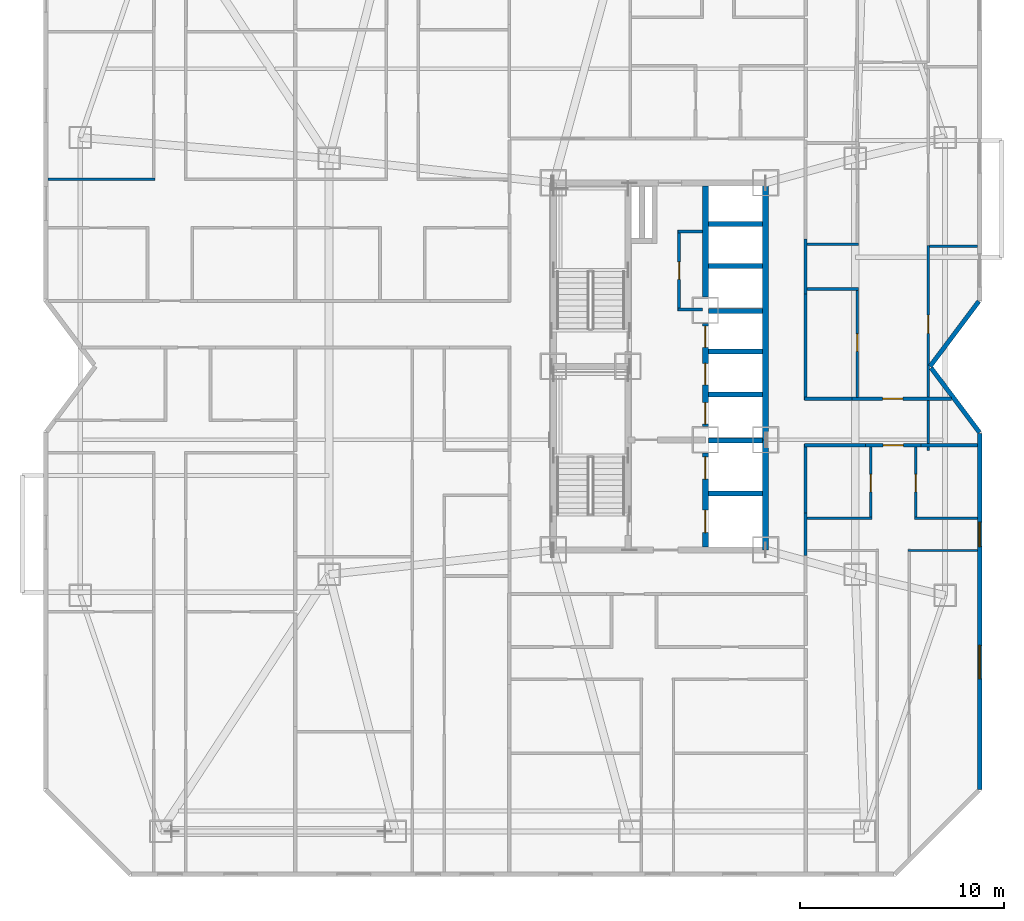
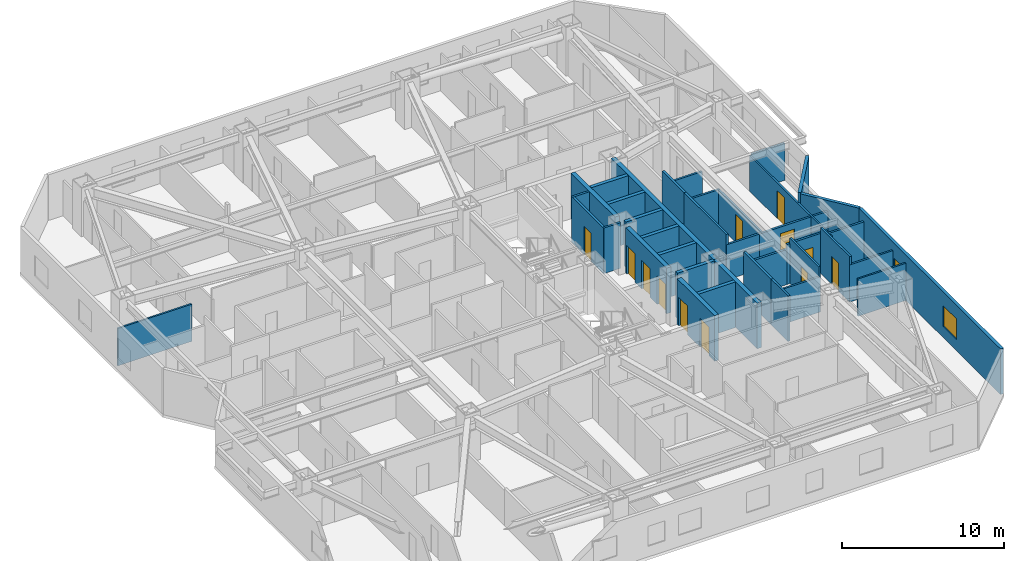
# One storey, part 9 of 13: 38 walls, 12 doors, 2 windows, 14 openings.
"""IFC4 building model written with IfcOpenShell, lengths in metres."""

from ifc_helpers import new_model, si_unit, direction, frame, frame_2d, origin, place, context, subcontext, project, spatial, rectangle, extrude, material, layer, layer_set, type_object, element, fill, save


model = new_model("IFC4")

# Units and contexts
model_context = context("Model", 3, precision=1e-05, world=origin(), true_north=direction((0.0, 1.0)))
body_context = subcontext(model_context, "Body", "Model", "MODEL_VIEW")
ifc_project = project(units=[si_unit("LENGTHUNIT", "METRE"), si_unit("AREAUNIT", "SQUARE_METRE"), si_unit("VOLUMEUNIT", "CUBIC_METRE"), si_unit("PLANEANGLEUNIT", "RADIAN"), si_unit("MASSUNIT", "GRAM", prefix="KILO")], contexts=[model_context])

# Site, building, storey
site_placement = place(None, origin())
site = spatial("IfcSite", under=ifc_project, at=site_placement, CompositionType="ELEMENT")
building_placement = place(site_placement, origin())
building = spatial("IfcBuilding", under=site, at=building_placement, Name="Khamvora Tower", CompositionType="ELEMENT")
storey_placement = place(building_placement, frame((0.0, 0.0, 62.5)))
storey = spatial("IfcBuildingStorey", under=building, at=storey_placement, Name="L15", CompositionType="ELEMENT", Elevation=62.5)

# Walls
ifc_material_1 = material(Name="Concrete C50/60", Category="concrete")
ifc_layer_1 = layer(ifc_material_1, 0.300048828125)
ifc_layer_set_1 = layer_set([ifc_layer_1], Name="Concrete C50/60")
wall_type_1 = type_object("IfcWallType", Name="WAL-CORE-300", PredefinedType="SHEAR", material=ifc_layer_set_1)
wall_1_placement = place(storey_placement, frame((39.39990234375, 19.0, 0.0), z_axis=(0.0, 0.0, 1.0), x_axis=(0.0, 1.0, 0.0)))
element("IfcWall", 1, at=wall_1_placement, inside=storey, type_object=wall_type_1, Name="L15 central core east south wall", PredefinedType="SHEAR", context=body_context, shape_type="SweptSolid", body=[
    extrude(rectangle(XDim=5.39990234375, YDim=0.300048828125, at=frame_2d((2.699951171875, 0.0))), origin(), (0.0, 0.0, 1.0), 3.429931640625),
])
wall_2_placement = place(storey_placement, frame((39.39990234375, 24.39990234375, 0.0), z_axis=(0.0, 0.0, 1.0), x_axis=(0.0, 1.0, 0.0)))
element("IfcWall", 2, at=wall_2_placement, inside=storey, type_object=wall_type_1, Name="L15 central core east north wall", PredefinedType="SHEAR", context=body_context, shape_type="SweptSolid", body=[
    extrude(rectangle(XDim=12.60009765625, YDim=0.300048828125, at=frame_2d((6.300048828125, 0.0))), origin(), (0.0, 0.0, 1.0), 3.429931640625),
])

# Wall, openings, doors
wall_3_placement = place(storey_placement, frame((36.449951171875, 19.154052734375, 0.0), z_axis=(0.0, 0.0, 1.0), x_axis=(0.0, 1.0, 0.0)))
wall_3 = element("IfcWall", 3, at=wall_3_placement, inside=storey, type_object=wall_type_1, Name="L15 central core lift bank south wall", PredefinedType="SHEAR", context=body_context, shape_type="SweptSolid", body=[
    extrude(rectangle(XDim=4.595947265625, YDim=0.300048828125, at=frame_2d((2.2978515625, 0.0))), origin(), (0.0, 0.0, 1.0), 3.429931640625),
])
opening_1_placement = place(wall_3_placement, frame((0.696044921875, 0.0, 0.0)))
opening_1 = element("IfcOpeningElement", 4, at=opening_1_placement, cuts=wall_3, Name="Opening LD-FFL", PredefinedType="OPENING", context=body_context, shape_type="SweptSolid", body=[
    extrude(rectangle(XDim=1.10009765625, YDim=2.14990234375, at=frame_2d((0.550048828125, 1.074951171875))), frame((0.0, 0.159912109375, 0.0), z_axis=(0.0, -1.0, 0.0), x_axis=(1.0, 0.0, 0.0)), (0.0, 0.0, 1.0), 0.320068359375),
])
opening_2_placement = place(wall_3_placement, frame((3.31591796875, 0.0, 0.0)))
opening_2 = element("IfcOpeningElement", 5, at=opening_2_placement, cuts=wall_3, Name="Opening LD-FFL", PredefinedType="OPENING", context=body_context, shape_type="SweptSolid", body=[
    extrude(rectangle(XDim=1.10009765625, YDim=2.14990234375, at=frame_2d((0.550048828125, 1.074951171875))), frame((0.0, 0.159912109375, 0.0), z_axis=(0.0, -1.0, 0.0), x_axis=(1.0, 0.0, 0.0)), (0.0, 0.0, 1.0), 0.320068359375),
])
ifc_material_2 = material(Name="Powder-Coated Steel and Hardwood Leaf", Category="steel")
door_type_1 = type_object("IfcDoorType", Name="DOR-LIFT-1100", OperationType="SLIDING_TO_LEFT", PredefinedType="DOOR", material=ifc_material_2)
door_1_placement = place(opening_1_placement, origin())
door_1 = element("IfcDoor", 6, at=door_1_placement, inside=storey, type_object=door_type_1, Name="L15 lift landing sliding door FFL-01", OperationType="SLIDING_TO_LEFT", OverallHeight=2.14990234375, OverallWidth=1.10009765625, PredefinedType="DOOR", context=body_context, shape_type="SweptSolid", body=[
    extrude(rectangle(XDim=1.10009765625, YDim=2.14990234375, at=frame_2d((0.550048828125, 1.074951171875))), frame((0.0, 0.02490234375, 0.0), z_axis=(0.0, -1.0, 0.0), x_axis=(1.0, 0.0, 0.0)), (0.0, 0.0, 1.0), 0.050048828125),
])
fill(opening_1, door_1)
door_2_placement = place(opening_2_placement, origin())
door_2 = element("IfcDoor", 7, at=door_2_placement, inside=storey, type_object=door_type_1, Name="L15 lift landing sliding door FFL-02", OperationType="SLIDING_TO_LEFT", OverallHeight=2.14990234375, OverallWidth=1.10009765625, PredefinedType="DOOR", context=body_context, shape_type="SweptSolid", body=[
    extrude(rectangle(XDim=1.10009765625, YDim=2.14990234375, at=frame_2d((0.550048828125, 1.074951171875))), frame((0.0, 0.02490234375, 0.0), z_axis=(0.0, -1.0, 0.0), x_axis=(1.0, 0.0, 0.0)), (0.0, 0.0, 1.0), 0.050048828125),
])
fill(opening_2, door_2)

wall_4_placement = place(storey_placement, frame((36.449951171875, 25.050048828125, 0.0), z_axis=(0.0, 0.0, 1.0), x_axis=(0.0, 1.0, 0.0)))
wall_4 = element("IfcWall", 8, at=wall_4_placement, inside=storey, type_object=wall_type_1, Name="L15 central core lift bank central wall", PredefinedType="SHEAR", context=body_context, shape_type="SweptSolid", body=[
    extrude(rectangle(XDim=5.050048828125, YDim=0.300048828125, at=frame_2d((2.52490234375, 0.0))), origin(), (0.0, 0.0, 1.0), 3.429931640625),
])
opening_3_placement = place(wall_4_placement, frame((0.1201171875, 0.0, 0.0)))
opening_3 = element("IfcOpeningElement", 9, at=opening_3_placement, cuts=wall_4, Name="Opening LD-PL", PredefinedType="OPENING", context=body_context, shape_type="SweptSolid", body=[
    extrude(rectangle(XDim=1.050048828125, YDim=2.14990234375, at=frame_2d((0.52490234375, 1.074951171875))), frame((0.0, 0.159912109375, 0.0), z_axis=(0.0, -1.0, 0.0), x_axis=(1.0, 0.0, 0.0)), (0.0, 0.0, 1.0), 0.320068359375),
])
opening_4_placement = place(wall_4_placement, frame((2.044921875, 0.0, 0.0)))
opening_4 = element("IfcOpeningElement", 10, at=opening_4_placement, cuts=wall_4, Name="Opening LD-PL", PredefinedType="OPENING", context=body_context, shape_type="SweptSolid", body=[
    extrude(rectangle(XDim=1.050048828125, YDim=2.14990234375, at=frame_2d((0.52490234375, 1.074951171875))), frame((0.0, 0.159912109375, 0.0), z_axis=(0.0, -1.0, 0.0), x_axis=(1.0, 0.0, 0.0)), (0.0, 0.0, 1.0), 0.320068359375),
])
opening_5_placement = place(wall_4_placement, frame((3.8798828125, 0.0, 0.0)))
opening_5 = element("IfcOpeningElement", 11, at=opening_5_placement, cuts=wall_4, Name="Opening LD-PL", PredefinedType="OPENING", context=body_context, shape_type="SweptSolid", body=[
    extrude(rectangle(XDim=1.050048828125, YDim=2.14990234375, at=frame_2d((0.52490234375, 1.074951171875))), frame((0.0, 0.159912109375, 0.0), z_axis=(0.0, -1.0, 0.0), x_axis=(1.0, 0.0, 0.0)), (0.0, 0.0, 1.0), 0.320068359375),
])
door_type_2 = type_object("IfcDoorType", Name="DOR-LIFT-1050", OperationType="SLIDING_TO_LEFT", PredefinedType="DOOR", material=ifc_material_2)
door_3_placement = place(opening_3_placement, origin())
door_3 = element("IfcDoor", 12, at=door_3_placement, inside=storey, type_object=door_type_2, Name="L15 lift landing sliding door PL-01", OperationType="SLIDING_TO_LEFT", OverallHeight=2.14990234375, OverallWidth=1.050048828125, PredefinedType="DOOR", context=body_context, shape_type="SweptSolid", body=[
    extrude(rectangle(XDim=1.050048828125, YDim=2.14990234375, at=frame_2d((0.52490234375, 1.074951171875))), frame((0.0, 0.02490234375, 0.0), z_axis=(0.0, -1.0, 0.0), x_axis=(1.0, 0.0, 0.0)), (0.0, 0.0, 1.0), 0.050048828125),
])
fill(opening_3, door_3)
door_4_placement = place(opening_4_placement, origin())
door_4 = element("IfcDoor", 13, at=door_4_placement, inside=storey, type_object=door_type_2, Name="L15 lift landing sliding door PL-02", OperationType="SLIDING_TO_LEFT", OverallHeight=2.14990234375, OverallWidth=1.050048828125, PredefinedType="DOOR", context=body_context, shape_type="SweptSolid", body=[
    extrude(rectangle(XDim=1.050048828125, YDim=2.14990234375, at=frame_2d((0.52490234375, 1.074951171875))), frame((0.0, 0.02490234375, 0.0), z_axis=(0.0, -1.0, 0.0), x_axis=(1.0, 0.0, 0.0)), (0.0, 0.0, 1.0), 0.050048828125),
])
fill(opening_4, door_4)
door_5_placement = place(opening_5_placement, origin())
door_5 = element("IfcDoor", 14, at=door_5_placement, inside=storey, type_object=door_type_2, Name="L15 lift landing sliding door PL-03", OperationType="SLIDING_TO_LEFT", OverallHeight=2.14990234375, OverallWidth=1.050048828125, PredefinedType="DOOR", context=body_context, shape_type="SweptSolid", body=[
    extrude(rectangle(XDim=1.050048828125, YDim=2.14990234375, at=frame_2d((0.52490234375, 1.074951171875))), frame((0.0, 0.02490234375, 0.0), z_axis=(0.0, -1.0, 0.0), x_axis=(1.0, 0.0, 0.0)), (0.0, 0.0, 1.0), 0.050048828125),
])
fill(opening_5, door_5)

# Walls
wall_5_placement = place(storey_placement, frame((36.449951171875, 31.39990234375, 0.0), z_axis=(0.0, 0.0, 1.0), x_axis=(0.0, 1.0, 0.0)))
element("IfcWall", 15, at=wall_5_placement, inside=storey, type_object=wall_type_1, Name="L15 central core lift bank north wall", PredefinedType="SHEAR", context=body_context, shape_type="SweptSolid", body=[
    extrude(rectangle(XDim=5.446044921875, YDim=0.300048828125, at=frame_2d((2.72314453125, 0.0))), origin(), (0.0, 0.0, 1.0), 3.429931640625),
])
ifc_material_3 = material(Name="Fire-Rated Drywall and Steel Stud", Category="steel")
ifc_layer_2 = layer(ifc_material_3, 0.14990234375)
ifc_layer_set_2 = layer_set([ifc_layer_2], Name="Fire-Rated Drywall and Steel Stud")
wall_type_2 = type_object("IfcWallType", Name="WAL-CORR-150", PredefinedType="STANDARD", material=ifc_layer_set_2)
wall_6_placement = place(storey_placement, frame((36.305908203125, 34.614990234375, 0.0), z_axis=(0.0, 0.0, 1.0), x_axis=(-1.0, 0.0, 0.0)))
element("IfcWall", 16, at=wall_6_placement, inside=storey, type_object=wall_type_2, Name="L15 interior partition wall 001", PredefinedType="STANDARD", context=body_context, shape_type="SweptSolid", body=[
    extrude(rectangle(XDim=1.205810546875, YDim=0.14990234375, at=frame_2d((0.60302734375, 0.0))), origin(), (0.0, 0.0, 1.0), 3.429931640625),
])

# Wall, opening, door
wall_7_placement = place(storey_placement, frame((35.1650390625, 34.677978515625, 0.0), z_axis=(0.0, 0.0, 1.0), x_axis=(0.0, -1.0, 0.0)))
wall_7 = element("IfcWall", 17, at=wall_7_placement, inside=storey, type_object=wall_type_2, Name="L15 interior partition wall 002", PredefinedType="STANDARD", context=body_context, shape_type="SweptSolid", body=[
    extrude(rectangle(XDim=3.9580078125, YDim=0.14990234375, at=frame_2d((1.97900390625, 0.0))), origin(), (0.0, 0.0, 1.0), 3.429931640625),
])
opening_6_placement = place(wall_7_placement, frame((1.553955078125, 0.0, 0.0)))
opening_6 = element("IfcOpeningElement", 18, at=opening_6_placement, cuts=wall_7, Name="Opening D-WC1", PredefinedType="OPENING", context=body_context, shape_type="SweptSolid", body=[
    extrude(rectangle(XDim=0.85009765625, YDim=2.10009765625, at=frame_2d((0.425048828125, 1.050048828125))), frame((0.0, 0.0849609375, 0.0), z_axis=(0.0, -1.0, 0.0), x_axis=(1.0, 0.0, 0.0)), (0.0, 0.0, 1.0), 0.169921875),
])
door_type_3 = type_object("IfcDoorType", Name="DOR-WET-850", OperationType="NOTDEFINED", PredefinedType="DOOR", material=ifc_material_2)
door_6_placement = place(opening_6_placement, origin())
door_6 = element("IfcDoor", 19, at=door_6_placement, inside=storey, type_object=door_type_3, Name="L15 interior door PLL-CS1", OperationType="SINGLE_SWING_LEFT", OverallHeight=2.10009765625, OverallWidth=0.85009765625, PredefinedType="DOOR", context=body_context, shape_type="SweptSolid", body=[
    extrude(rectangle(XDim=0.85009765625, YDim=2.10009765625, at=frame_2d((0.425048828125, 1.050048828125))), frame((0.0, 0.02490234375, 0.0), z_axis=(0.0, -1.0, 0.0), x_axis=(1.0, 0.0, 0.0)), (0.0, 0.0, 1.0), 0.050048828125),
])
fill(opening_6, door_6)

# Wall
wall_8_placement = place(storey_placement, frame((35.10205078125, 30.784912109375, 0.0), z_axis=(0.0, 0.0, 1.0), x_axis=(1.0, 0.0, 0.0)))
element("IfcWall", 20, at=wall_8_placement, inside=storey, type_object=wall_type_2, Name="L15 interior partition wall 003", PredefinedType="STANDARD", context=body_context, shape_type="SweptSolid", body=[
    extrude(rectangle(XDim=1.197998046875, YDim=0.14990234375, at=frame_2d((0.59912109375, 0.0))), origin(), (0.0, 0.0, 1.0), 3.429931640625),
])

# Wall, opening, door
wall_9_placement = place(storey_placement, frame((47.009033203125, 24.135009765625, 0.0), z_axis=(0.0, 0.0, 1.0), x_axis=(-1.0, 0.0, 0.0)))
wall_9 = element("IfcWall", 21, at=wall_9_placement, inside=storey, type_object=wall_type_2, Name="L15 interior partition wall 030", PredefinedType="STANDARD", context=body_context, shape_type="SweptSolid", body=[
    extrude(rectangle(XDim=2.697998046875, YDim=0.14990234375, at=frame_2d((1.34912109375, 0.0))), origin(), (0.0, 0.0, 1.0), 3.012939453125),
])
opening_7_placement = place(wall_9_placement, frame((0.84912109375, 0.0, 0.0)))
opening_7 = element("IfcOpeningElement", 22, at=opening_7_placement, cuts=wall_9, Name="Opening D-U1", PredefinedType="OPENING", context=body_context, shape_type="SweptSolid", body=[
    extrude(rectangle(XDim=1.0, YDim=2.14990234375, at=frame_2d((0.5, 1.074951171875))), frame((0.0, 0.0849609375, 0.0), z_axis=(0.0, -1.0, 0.0), x_axis=(1.0, 0.0, 0.0)), (0.0, 0.0, 1.0), 0.169921875),
])
door_type_4 = type_object("IfcDoorType", Name="DOR-UNIT-1000", OperationType="NOTDEFINED", PredefinedType="DOOR", material=ifc_material_2)
door_7_placement = place(opening_7_placement, origin())
door_7 = element("IfcDoor", 23, at=door_7_placement, inside=storey, type_object=door_type_4, Name="L15 interior door COR-15EAH", OperationType="SINGLE_SWING_LEFT", OverallHeight=2.14990234375, OverallWidth=1.0, PredefinedType="DOOR", context=body_context, shape_type="SweptSolid", body=[
    extrude(rectangle(XDim=1.0, YDim=2.14990234375, at=frame_2d((0.5, 1.074951171875))), frame((0.0, 0.02490234375, 0.0), z_axis=(0.0, -1.0, 0.0), x_axis=(1.0, 0.0, 0.0)), (0.0, 0.0, 1.0), 0.050048828125),
])
fill(opening_7, door_7)

# Walls
wall_10_placement = place(storey_placement, frame((41.364990234375, 20.803955078125, 0.0), z_axis=(0.0, 0.0, 1.0), x_axis=(0.0, -1.0, 0.0)))
element("IfcWall", 24, at=wall_10_placement, inside=storey, type_object=wall_type_2, Name="L15 interior partition wall 031", PredefinedType="STANDARD", context=body_context, shape_type="SweptSolid", body=[
    extrude(rectangle(XDim=2.077880859375, YDim=0.14990234375, at=frame_2d((1.0390625, 0.0))), origin(), (0.0, 0.0, 1.0), 3.429931640625),
])
wall_11_placement = place(storey_placement, frame((44.31103515625, 24.135009765625, 0.0), z_axis=(0.0, 0.0, 1.0), x_axis=(-1.0, 0.0, 0.0)))
element("IfcWall", 25, at=wall_11_placement, inside=storey, type_object=wall_type_2, Name="L15 interior partition wall 032", PredefinedType="STANDARD", context=body_context, shape_type="SweptSolid", body=[
    extrude(rectangle(XDim=3.010986328125, YDim=0.14990234375, at=frame_2d((1.50537109375, 0.0))), origin(), (0.0, 0.0, 1.0), 2.64697265625),
])
wall_12_placement = place(storey_placement, frame((41.364990234375, 24.197998046875, 0.0), z_axis=(0.0, 0.0, 1.0), x_axis=(0.0, -1.0, 0.0)))
element("IfcWall", 26, at=wall_12_placement, inside=storey, type_object=wall_type_2, Name="L15 interior partition wall 033", PredefinedType="STANDARD", context=body_context, shape_type="SweptSolid", body=[
    extrude(rectangle(XDim=3.39404296875, YDim=0.14990234375, at=frame_2d((1.697021484375, 0.0))), origin(), (0.0, 0.0, 1.0), 3.429931640625),
])
wall_13_placement = place(storey_placement, frame((49.7880859375, 24.135009765625, 0.0), z_axis=(0.0, 0.0, 1.0), x_axis=(-1.0, 0.0, 0.0)))
element("IfcWall", 27, at=wall_13_placement, inside=storey, type_object=wall_type_2, Name="L15 interior partition wall 034", PredefinedType="STANDARD", context=body_context, shape_type="SweptSolid", body=[
    extrude(rectangle(XDim=2.779052734375, YDim=0.14990234375, at=frame_2d((1.3896484375, 0.0))), origin(), (0.0, 0.0, 1.0), 2.802978515625),
])
wall_14_placement = place(storey_placement, frame((41.364990234375, 34.239990234375, 0.0), z_axis=(0.0, 0.0, 1.0), x_axis=(0.0, -1.0, 0.0)))
element("IfcWall", 28, at=wall_14_placement, inside=storey, type_object=wall_type_2, Name="L15 interior partition wall 037", PredefinedType="STANDARD", context=body_context, shape_type="SweptSolid", body=[
    extrude(rectangle(XDim=2.697998046875, YDim=0.14990234375, at=frame_2d((1.34912109375, 0.0))), origin(), (0.0, 0.0, 1.0), 3.429931640625),
])

# Wall, opening, door
wall_15_placement = place(storey_placement, frame((43.64599609375, 26.4150390625, 0.0), z_axis=(0.0, 0.0, 1.0), x_axis=(1.0, 0.0, 0.0)))
wall_15 = element("IfcWall", 29, at=wall_15_placement, inside=storey, type_object=wall_type_2, Name="L15 interior partition wall 038", PredefinedType="STANDARD", context=body_context, shape_type="SweptSolid", body=[
    extrude(rectangle(XDim=4.876953125, YDim=0.14990234375, at=frame_2d((2.4384765625, 0.0))), origin(), (0.0, 0.0, 1.0), 2.64697265625),
])
opening_8_placement = place(wall_15_placement, frame((1.489013671875, 0.0, 0.0)))
opening_8 = element("IfcOpeningElement", 30, at=opening_8_placement, cuts=wall_15, Name="Opening D-U1", PredefinedType="OPENING", context=body_context, shape_type="SweptSolid", body=[
    extrude(rectangle(XDim=1.0, YDim=2.14990234375, at=frame_2d((0.5, 1.074951171875))), frame((0.0, 0.0849609375, 0.0), z_axis=(0.0, -1.0, 0.0), x_axis=(1.0, 0.0, 0.0)), (0.0, 0.0, 1.0), 0.169921875),
])
door_8_placement = place(opening_8_placement, origin())
door_8 = element("IfcDoor", 31, at=door_8_placement, inside=storey, type_object=door_type_4, Name="L15 interior door COR-15EBH", OperationType="SINGLE_SWING_RIGHT", OverallHeight=2.14990234375, OverallWidth=1.0, PredefinedType="DOOR", context=body_context, shape_type="SweptSolid", body=[
    extrude(rectangle(XDim=1.0, YDim=2.14990234375, at=frame_2d((0.5, 1.074951171875))), frame((0.0, 0.02490234375, 0.0), z_axis=(0.0, -1.0, 0.0), x_axis=(1.0, 0.0, 0.0)), (0.0, 0.0, 1.0), 0.050048828125),
])
fill(opening_8, door_8)

# Walls
wall_16_placement = place(storey_placement, frame((41.364990234375, 31.5419921875, 0.0), z_axis=(0.0, 0.0, 1.0), x_axis=(0.0, -1.0, 0.0)))
element("IfcWall", 32, at=wall_16_placement, inside=storey, type_object=wall_type_2, Name="L15 interior partition wall 040", PredefinedType="STANDARD", context=body_context, shape_type="SweptSolid", body=[
    extrude(rectangle(XDim=5.19189453125, YDim=0.14990234375, at=frame_2d((2.595947265625, 0.0))), origin(), (0.0, 0.0, 1.0), 3.429931640625),
])
wall_17_placement = place(storey_placement, frame((41.300048828125, 26.4150390625, 0.0), z_axis=(0.0, 0.0, 1.0), x_axis=(1.0, 0.0, 0.0)))
element("IfcWall", 33, at=wall_17_placement, inside=storey, type_object=wall_type_2, Name="L15 interior partition wall 041", PredefinedType="STANDARD", context=body_context, shape_type="SweptSolid", body=[
    extrude(rectangle(XDim=2.345947265625, YDim=0.14990234375, at=frame_2d((1.1728515625, 0.0))), origin(), (0.0, 0.0, 1.0), 2.64697265625),
])
ifc_material_4 = material(Name="Precast concrete C40/50", Category="concrete")
ifc_layer_3 = layer(ifc_material_4, 0.219970703125)
ifc_layer_set_3 = layer_set([ifc_layer_3], Name="Precast concrete C40/50")
wall_type_3 = type_object("IfcWallType", Name="WAL-EXT-220", PredefinedType="STANDARD", material=ifc_layer_set_3)
wall_18_placement = place(storey_placement, frame((49.85595703125, 31.19091796875, 0.0), z_axis=(0.0, 0.0, 1.0), x_axis=(-0.600137081448, -0.799897170561, 0.0)))
element("IfcWall", 34, at=wall_18_placement, inside=storey, type_object=wall_type_3, Name="L15 exterior facade wall 10.1", PredefinedType="STANDARD", context=body_context, shape_type="SweptSolid", body=[
    extrude(rectangle(XDim=3.9892578125, YDim=0.219970703125, at=frame_2d((1.99462890625, 0.0))), origin(), (0.0, 0.0, 1.0), 3.429931640625),
])
wall_19_placement = place(storey_placement, frame((47.51904296875, 27.923095703125, 0.0), z_axis=(0.0, 0.0, 1.0), x_axis=(0.600118645218, -0.799911002338, 0.0)))
element("IfcWall", 35, at=wall_19_placement, inside=storey, type_object=wall_type_3, Name="L15 exterior facade wall 11.1", PredefinedType="STANDARD", context=body_context, shape_type="SweptSolid", body=[
    extrude(rectangle(XDim=3.95068359375, YDim=0.219970703125, at=frame_2d((1.975341796875, 0.0))), origin(), (0.0, 0.0, 1.0), 3.429931640625),
])

# Wall, openings, windows
wall_20_placement = place(storey_placement, frame((49.889892578125, 24.70703125, 0.0), z_axis=(0.0, 0.0, 1.0), x_axis=(0.0, -1.0, 0.0)))
wall_20 = element("IfcWall", 36, at=wall_20_placement, inside=storey, type_object=wall_type_3, Name="L15 exterior facade wall 12.1", PredefinedType="STANDARD", context=body_context, shape_type="SweptSolid", body=[
    extrude(rectangle(XDim=17.4609375, YDim=0.219970703125, at=frame_2d((8.73046875, 0.0))), origin(), (0.0, 0.0, 1.0), 3.429931640625),
])
opening_9_placement = place(wall_20_placement, frame((4.342041015625, 0.0, 0.800048828125)))
opening_9 = element("IfcOpeningElement", 37, at=opening_9_placement, cuts=wall_20, Name="Opening WN-03", PredefinedType="OPENING", context=body_context, shape_type="SweptSolid", body=[
    extrude(rectangle(XDim=1.199951171875, YDim=1.5, at=frame_2d((0.60009765625, 0.75))), frame((0.0, 0.119873046875, 0.0), z_axis=(0.0, -1.0, 0.0), x_axis=(1.0, 0.0, 0.0)), (0.0, 0.0, 1.0), 0.239990234375),
])
opening_10_placement = place(wall_20_placement, frame((10.37890625, 0.0, 0.85009765625)))
opening_10 = element("IfcOpeningElement", 38, at=opening_10_placement, cuts=wall_20, Name="Opening WN-06", PredefinedType="OPENING", context=body_context, shape_type="SweptSolid", body=[
    extrude(rectangle(XDim=1.64990234375, YDim=1.550048828125, at=frame_2d((0.824951171875, 0.77490234375))), frame((0.0, 0.119873046875, 0.0), z_axis=(0.0, -1.0, 0.0), x_axis=(1.0, 0.0, 0.0)), (0.0, 0.0, 1.0), 0.239990234375),
])
ifc_material_5 = material(Name="Low-E Laminated Double Glazing", Category="glass")
window_type_1 = type_object("IfcWindowType", Name="WIN-VIS-1200x1500", PartitioningType="SINGLE_PANEL", PredefinedType="WINDOW", material=ifc_material_5)
window_1_placement = place(opening_9_placement, origin())
window_1 = element("IfcWindow", 39, at=window_1_placement, inside=storey, type_object=window_type_1, Name="L15 vision window 12.1.01", OverallHeight=1.5, OverallWidth=1.199951171875, PartitioningType="SINGLE_PANEL", PredefinedType="WINDOW", context=body_context, shape_type="SweptSolid", body=[
    extrude(rectangle(XDim=1.199951171875, YDim=1.5, at=frame_2d((0.60009765625, 0.75))), frame((0.0, 0.030029296875, 0.0), z_axis=(0.0, -1.0, 0.0), x_axis=(1.0, 0.0, 0.0)), (0.0, 0.0, 1.0), 0.06005859375),
])
fill(opening_9, window_1)
window_type_2 = type_object("IfcWindowType", Name="WIN-VIS-1650x1550", PartitioningType="SINGLE_PANEL", PredefinedType="WINDOW", material=ifc_material_5)
window_2_placement = place(opening_10_placement, origin())
window_2 = element("IfcWindow", 40, at=window_2_placement, inside=storey, type_object=window_type_2, Name="L15 vision window 12.1.02", OverallHeight=1.550048828125, OverallWidth=1.64990234375, PartitioningType="SINGLE_PANEL", PredefinedType="WINDOW", context=body_context, shape_type="SweptSolid", body=[
    extrude(rectangle(XDim=1.64990234375, YDim=1.550048828125, at=frame_2d((0.824951171875, 0.77490234375))), frame((0.0, 0.030029296875, 0.0), z_axis=(0.0, -1.0, 0.0), x_axis=(1.0, 0.0, 0.0)), (0.0, 0.0, 1.0), 0.06005859375),
])
fill(opening_10, window_2)

# Walls
ifc_material_6 = material(Name="Gypsum Plasterboard Partition", Category="gypsum")
ifc_layer_4 = layer(ifc_material_6, 0.1201171875)
ifc_layer_set_4 = layer_set([ifc_layer_4], Name="Gypsum Plasterboard Partition")
wall_type_4 = type_object("IfcWallType", Name="WAL-PART-120", PredefinedType="PARTITIONING", material=ifc_layer_set_4)
wall_21_placement = place(storey_placement, frame((4.2119140625, 37.175048828125, 0.0), z_axis=(0.0, 0.0, 1.0), x_axis=(1.0, 0.0, 0.0)))
element("IfcWall", 41, at=wall_21_placement, inside=storey, type_object=wall_type_4, Name="L15 interior partition wall 085", PredefinedType="PARTITIONING", context=body_context, shape_type="SweptSolid", body=[
    extrude(rectangle(XDim=5.26416015625, YDim=0.1201171875, at=frame_2d((2.632080078125, 0.0))), origin(), (0.0, 0.0, 1.0), 2.802978515625),
])
wall_22_placement = place(storey_placement, frame((49.7880859375, 18.97509765625, 0.0), z_axis=(0.0, 0.0, 1.0), x_axis=(-1.0, 0.0, 0.0)))
element("IfcWall", 42, at=wall_22_placement, inside=storey, type_object=wall_type_4, Name="L15 interior partition wall 142", PredefinedType="PARTITIONING", context=body_context, shape_type="SweptSolid", body=[
    extrude(rectangle(XDim=3.408203125, YDim=0.1201171875, at=frame_2d((1.7041015625, 0.0))), origin(), (0.0, 0.0, 1.0), 2.802978515625),
])

# Wall, opening, door
wall_23_placement = place(storey_placement, frame((47.375, 33.926025390625, 0.0), z_axis=(0.0, 0.0, 1.0), x_axis=(0.0, -1.0, 0.0)))
wall_23 = element("IfcWall", 43, at=wall_23_placement, inside=storey, type_object=wall_type_4, Name="L15 interior partition wall 153", PredefinedType="PARTITIONING", context=body_context, shape_type="SweptSolid", body=[
    extrude(rectangle(XDim=10.046142578125, YDim=0.1201171875, at=frame_2d((5.02294921875, 0.0))), origin(), (0.0, 0.0, 1.0), 2.68701171875),
])
opening_11_placement = place(wall_23_placement, frame((3.408935546875, 0.0, 0.0)))
opening_11 = element("IfcOpeningElement", 44, at=opening_11_placement, cuts=wall_23, Name="Opening D-RM1", PredefinedType="OPENING", context=body_context, shape_type="SweptSolid", body=[
    extrude(rectangle(XDim=0.89990234375, YDim=2.10009765625, at=frame_2d((0.449951171875, 1.050048828125))), frame((0.0, 0.070068359375, 0.0), z_axis=(0.0, -1.0, 0.0), x_axis=(1.0, 0.0, 0.0)), (0.0, 0.0, 1.0), 0.14013671875),
])
door_type_5 = type_object("IfcDoorType", Name="DOR-ROOM-900", OperationType="NOTDEFINED", PredefinedType="DOOR", material=ifc_material_2)
door_9_placement = place(opening_11_placement, origin())
door_9 = element("IfcDoor", 45, at=door_9_placement, inside=storey, type_object=door_type_5, Name="L15 interior door 15EBH-15EBL", OperationType="SINGLE_SWING_RIGHT", OverallHeight=2.10009765625, OverallWidth=0.89990234375, PredefinedType="DOOR", context=body_context, shape_type="SweptSolid", body=[
    extrude(rectangle(XDim=0.89990234375, YDim=2.10009765625, at=frame_2d((0.449951171875, 1.050048828125))), frame((0.0, 0.02490234375, 0.0), z_axis=(0.0, -1.0, 0.0), x_axis=(1.0, 0.0, 0.0)), (0.0, 0.0, 1.0), 0.050048828125),
])
fill(opening_11, door_9)

# Walls
wall_24_placement = place(storey_placement, frame((47.428955078125, 33.89697265625, 0.0), z_axis=(0.0, 0.0, 1.0), x_axis=(1.0, 0.0, 0.0)))
element("IfcWall", 46, at=wall_24_placement, inside=storey, type_object=wall_type_4, Name="L15 interior partition wall 156", PredefinedType="PARTITIONING", context=body_context, shape_type="SweptSolid", body=[
    extrude(rectangle(XDim=2.359130859375, YDim=0.1201171875, at=frame_2d((1.1796875, 0.0))), origin(), (0.0, 0.0, 1.0), 2.802978515625),
])
ifc_material_7 = material(Name="Concrete C40/50", Category="concrete")
ifc_layer_5 = layer(ifc_material_7, 0.25)
ifc_layer_set_5 = layer_set([ifc_layer_5], Name="Concrete C40/50")
wall_type_5 = type_object("IfcWallType", Name="WAL-PODS-250", PredefinedType="SHEAR", material=ifc_layer_set_5)
for number, where, z_axis, x_axis, name in (
    (47, (36.60400390625, 21.77490234375, 0.0), (0.0, 0.0, 1.0), (1.0, 0.0, 0.0), "L15 lift shaft divider wall FFL-01"),
    (48, (36.60400390625, 24.375, 0.0), (0.0, 0.0, 1.0), (1.0, 0.0, 0.0), "L15 lift shaft divider wall FFL-02"),
    (49, (36.60400390625, 26.625, 0.0), (0.0, 0.0, 1.0), (1.0, 0.0, 0.0), "L15 lift shaft divider wall PL-01"),
    (50, (36.60400390625, 28.72509765625, 0.0), (0.0, 0.0, 1.0), (1.0, 0.0, 0.0), "L15 lift shaft divider wall PL-02"),
    (51, (36.60400390625, 30.72509765625, 0.0), (0.0, 0.0, 1.0), (1.0, 0.0, 0.0), "L15 lift shaft divider wall PL-03"),
    (52, (36.60400390625, 32.925048828125, 0.0), (0.0, 0.0, 1.0), (1.0, 0.0, 0.0), "L15 lift shaft divider wall PH-01"),
    (53, (36.60400390625, 34.97509765625, 0.0), (0.0, 0.0, 1.0), (1.0, 0.0, 0.0), "L15 lift shaft divider wall PH-02"),
):
    element("IfcWall", number, at=place(storey_placement, frame(where, z_axis=z_axis, x_axis=x_axis)), inside=storey, type_object=wall_type_5, Name=name, PredefinedType="SHEAR", context=body_context, shape_type="SweptSolid", body=[
        extrude(rectangle(XDim=2.64208984375, YDim=0.25, at=frame_2d((1.321044921875, 0.0))), origin(), (0.0, 0.0, 1.0), 3.429931640625),
    ])
ifc_material_8 = material(Name="Moisture-Resistant Plasterboard Partition", Category="gypsum")
ifc_layer_6 = layer(ifc_material_8, 0.135009765625)
ifc_layer_set_6 = layer_set([ifc_layer_6], Name="Moisture-Resistant Plasterboard Partition")
wall_type_6 = type_object("IfcWallType", Name="WAL-WET-135", PredefinedType="PARTITIONING", material=ifc_layer_set_6)
wall_25_placement = place(storey_placement, frame((41.431884765625, 20.554931640625, 0.0), z_axis=(0.0, 0.0, 1.0), x_axis=(1.0, 0.0, 0.0)))
element("IfcWall", 54, at=wall_25_placement, inside=storey, type_object=wall_type_6, Name="L15 interior partition wall 136", PredefinedType="PARTITIONING", context=body_context, shape_type="SweptSolid", body=[
    extrude(rectangle(XDim=3.193115234375, YDim=0.135009765625, at=frame_2d((1.5966796875, 0.0))), origin(), (0.0, 0.0, 1.0), 2.64697265625),
])

# Wall, opening, door
wall_26_placement = place(storey_placement, frame((44.56005859375, 20.489990234375, 0.0), z_axis=(0.0, 0.0, 1.0), x_axis=(0.0, 1.0, 0.0)))
wall_26 = element("IfcWall", 55, at=wall_26_placement, inside=storey, type_object=wall_type_6, Name="L15 interior partition wall 137", PredefinedType="PARTITIONING", context=body_context, shape_type="SweptSolid", body=[
    extrude(rectangle(XDim=3.580078125, YDim=0.135009765625, at=frame_2d((1.7900390625, 0.0))), origin(), (0.0, 0.0, 1.0), 3.429931640625),
])
opening_12_placement = place(wall_26_placement, frame((1.364990234375, 0.0, 0.0)))
opening_12 = element("IfcOpeningElement", 56, at=opening_12_placement, cuts=wall_26, Name="Opening D-WC1", PredefinedType="OPENING", context=body_context, shape_type="SweptSolid", body=[
    extrude(rectangle(XDim=0.85009765625, YDim=2.10009765625, at=frame_2d((0.425048828125, 1.050048828125))), frame((0.0, 0.077392578125, 0.0), z_axis=(0.0, -1.0, 0.0), x_axis=(1.0, 0.0, 0.0)), (0.0, 0.0, 1.0), 0.155029296875),
])
door_10_placement = place(opening_12_placement, origin())
door_10 = element("IfcDoor", 57, at=door_10_placement, inside=storey, type_object=door_type_3, Name="L15 interior door 15EAH-15EAB", OperationType="SINGLE_SWING_LEFT", OverallHeight=2.10009765625, OverallWidth=0.85009765625, PredefinedType="DOOR", context=body_context, shape_type="SweptSolid", body=[
    extrude(rectangle(XDim=0.85009765625, YDim=2.10009765625, at=frame_2d((0.425048828125, 1.050048828125))), frame((0.0, 0.02490234375, 0.0), z_axis=(0.0, -1.0, 0.0), x_axis=(1.0, 0.0, 0.0)), (0.0, 0.0, 1.0), 0.050048828125),
])
fill(opening_12, door_10)

wall_27_placement = place(storey_placement, frame((46.760009765625, 24.070068359375, 0.0), z_axis=(0.0, 0.0, 1.0), x_axis=(0.0, -1.0, 0.0)))
wall_27 = element("IfcWall", 58, at=wall_27_placement, inside=storey, type_object=wall_type_6, Name="L15 interior partition wall 138", PredefinedType="PARTITIONING", context=body_context, shape_type="SweptSolid", body=[
    extrude(rectangle(XDim=3.580078125, YDim=0.135009765625, at=frame_2d((1.7900390625, 0.0))), origin(), (0.0, 0.0, 1.0), 3.429931640625),
])
opening_13_placement = place(wall_27_placement, frame((1.364990234375, 0.0, 0.0)))
opening_13 = element("IfcOpeningElement", 59, at=opening_13_placement, cuts=wall_27, Name="Opening D-RM2", PredefinedType="OPENING", context=body_context, shape_type="SweptSolid", body=[
    extrude(rectangle(XDim=0.85009765625, YDim=2.10009765625, at=frame_2d((0.425048828125, 1.050048828125))), frame((0.0, 0.077392578125, 0.0), z_axis=(0.0, -1.0, 0.0), x_axis=(1.0, 0.0, 0.0)), (0.0, 0.0, 1.0), 0.155029296875),
])
door_type_6 = type_object("IfcDoorType", Name="DOR-ROOM-850", OperationType="NOTDEFINED", PredefinedType="DOOR", material=ifc_material_2)
door_11_placement = place(opening_13_placement, origin())
door_11 = element("IfcDoor", 60, at=door_11_placement, inside=storey, type_object=door_type_6, Name="L15 interior door 15EAH-15EAK", OperationType="SINGLE_SWING_RIGHT", OverallHeight=2.10009765625, OverallWidth=0.85009765625, PredefinedType="DOOR", context=body_context, shape_type="SweptSolid", body=[
    extrude(rectangle(XDim=0.85009765625, YDim=2.10009765625, at=frame_2d((0.425048828125, 1.050048828125))), frame((0.0, 0.02490234375, 0.0), z_axis=(0.0, -1.0, 0.0), x_axis=(1.0, 0.0, 0.0)), (0.0, 0.0, 1.0), 0.050048828125),
])
fill(opening_13, door_11)

# Walls
wall_28_placement = place(storey_placement, frame((46.695068359375, 20.554931640625, 0.0), z_axis=(0.0, 0.0, 1.0), x_axis=(1.0, 0.0, 0.0)))
element("IfcWall", 61, at=wall_28_placement, inside=storey, type_object=wall_type_6, Name="L15 interior partition wall 139", PredefinedType="PARTITIONING", context=body_context, shape_type="SweptSolid", body=[
    extrude(rectangle(XDim=3.093017578125, YDim=0.135009765625, at=frame_2d((1.54638671875, 0.0))), origin(), (0.0, 0.0, 1.0), 2.802978515625),
])
wall_29_placement = place(storey_placement, frame((41.431884765625, 33.990966796875, 0.0), z_axis=(0.0, 0.0, 1.0), x_axis=(1.0, 0.0, 0.0)))
element("IfcWall", 62, at=wall_29_placement, inside=storey, type_object=wall_type_6, Name="L15 interior partition wall 149", PredefinedType="PARTITIONING", context=body_context, shape_type="SweptSolid", body=[
    extrude(rectangle(XDim=2.528076171875, YDim=0.135009765625, at=frame_2d((1.26416015625, 0.0))), origin(), (0.0, 0.0, 1.0), 2.64697265625),
])

# Wall, opening, door
wall_30_placement = place(storey_placement, frame((43.89501953125, 26.47998046875, 0.0), z_axis=(0.0, 0.0, 1.0), x_axis=(0.0, 1.0, 0.0)))
wall_30 = element("IfcWall", 63, at=wall_30_placement, inside=storey, type_object=wall_type_6, Name="L15 interior partition wall 151", PredefinedType="PARTITIONING", context=body_context, shape_type="SweptSolid", body=[
    extrude(rectangle(XDim=5.3759765625, YDim=0.135009765625, at=frame_2d((2.68798828125, 0.0))), origin(), (0.0, 0.0, 1.0), 2.64697265625),
])
opening_14_placement = place(wall_30_placement, frame((2.262939453125, 0.0, 0.0)))
opening_14 = element("IfcOpeningElement", 64, at=opening_14_placement, cuts=wall_30, Name="Opening D-RM2", PredefinedType="OPENING", context=body_context, shape_type="SweptSolid", body=[
    extrude(rectangle(XDim=0.85009765625, YDim=2.10009765625, at=frame_2d((0.425048828125, 1.050048828125))), frame((0.0, 0.077392578125, 0.0), z_axis=(0.0, -1.0, 0.0), x_axis=(1.0, 0.0, 0.0)), (0.0, 0.0, 1.0), 0.155029296875),
])
door_12_placement = place(opening_14_placement, origin())
door_12 = element("IfcDoor", 65, at=door_12_placement, inside=storey, type_object=door_type_6, Name="L15 interior door 15EBH-15EBK", OperationType="SINGLE_SWING_LEFT", OverallHeight=2.10009765625, OverallWidth=0.85009765625, PredefinedType="DOOR", context=body_context, shape_type="SweptSolid", body=[
    extrude(rectangle(XDim=0.85009765625, YDim=2.10009765625, at=frame_2d((0.425048828125, 1.050048828125))), frame((0.0, 0.02490234375, 0.0), z_axis=(0.0, -1.0, 0.0), x_axis=(1.0, 0.0, 0.0)), (0.0, 0.0, 1.0), 0.050048828125),
])
fill(opening_14, door_12)

# Wall
wall_31_placement = place(storey_placement, frame((43.9599609375, 31.791015625, 0.0), z_axis=(0.0, 0.0, 1.0), x_axis=(-1.0, 0.0, 0.0)))
element("IfcWall", 66, at=wall_31_placement, inside=storey, type_object=wall_type_6, Name="L15 interior partition wall 152", PredefinedType="PARTITIONING", context=body_context, shape_type="SweptSolid", body=[
    extrude(rectangle(XDim=2.528076171875, YDim=0.135009765625, at=frame_2d((1.26416015625, 0.0))), origin(), (0.0, 0.0, 1.0), 2.64697265625),
])

save(model, "model.ifc")
